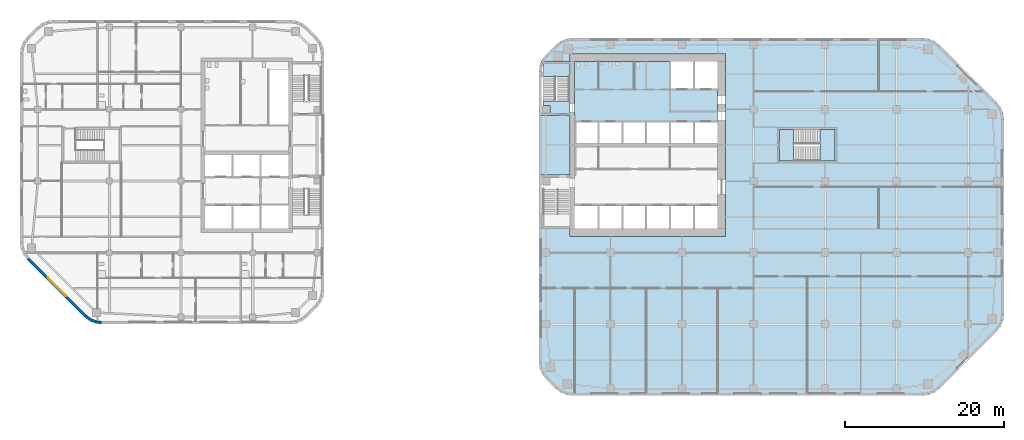
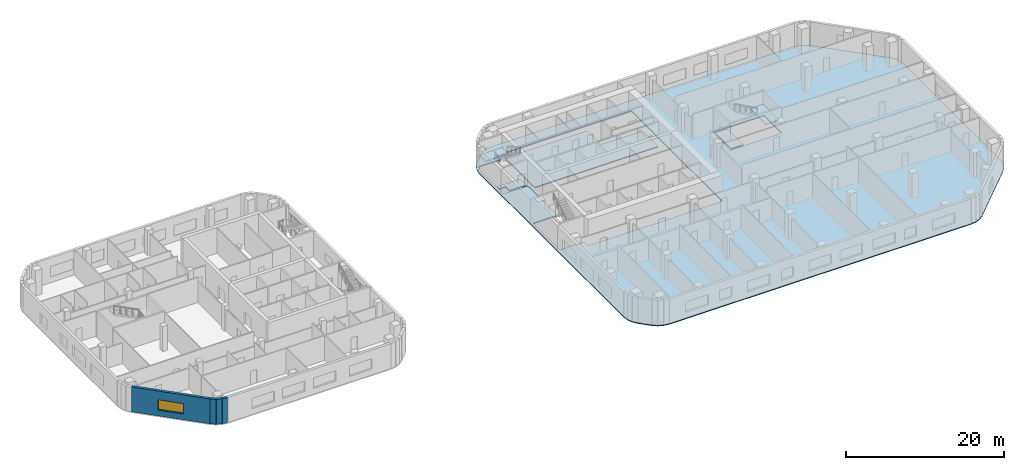
# One storey, part 4 of 16: 6 slabs, 4 walls, 1 window, 1 opening, 2 elements without a shape of their own.
"""IFC4 building model written with IfcOpenShell, lengths in metres."""

from ifc_helpers import new_model, si_unit, direction, frame, frame_2d, origin, place, context, subcontext, project, spatial, polyline, rectangle, outline, extrude, material, layer, layer_set, type_object, element, fill, aggregate, save


model = new_model("IFC4")

# Units and contexts
model_context = context("Model", 3, precision=1e-05, world=origin(), true_north=direction((0.0, 1.0)))
body_context = subcontext(model_context, "Body", "Model", "MODEL_VIEW")
ifc_project = project(units=[si_unit("LENGTHUNIT", "METRE"), si_unit("AREAUNIT", "SQUARE_METRE"), si_unit("VOLUMEUNIT", "CUBIC_METRE"), si_unit("PLANEANGLEUNIT", "RADIAN"), si_unit("MASSUNIT", "GRAM", prefix="KILO")], contexts=[model_context])

# Site, building, storey
site_placement = place(None, origin())
site = spatial("IfcSite", under=ifc_project, at=site_placement, CompositionType="ELEMENT")
building_placement = place(site_placement, origin())
building = spatial("IfcBuilding", under=site, at=building_placement, Name="Cinnabar Reach Civic Tower", CompositionType="ELEMENT")
storey_placement = place(building_placement, frame((0.0, 0.0, 83.0)))
storey = spatial("IfcBuildingStorey", under=building, at=storey_placement, Name="L19", CompositionType="ELEMENT", Elevation=83.0)

# Slab
ifc_material_1 = material(Name="Concrete C40", Category="concrete")
ifc_layer_1 = layer(ifc_material_1, 0.15)
ifc_layer_set_1 = layer_set([ifc_layer_1], Name="Composite floor slab 150 REI 150")
slab_type_1 = type_object("IfcSlabType", Name="Composite floor slab 150 REI 150", PredefinedType="FLOOR", material=ifc_layer_set_1)
slab_1_placement = place(storey_placement, frame((0.0, 0.0, -0.15)))
element("IfcSlab", 1, at=slab_1_placement, inside=storey, type_object=slab_type_1, Name="Composite floor slab 150 T1 L19", PredefinedType="FLOOR", context=body_context, shape_type="SweptSolid", body=[
    extrude(outline(polyline([(0.8787, 2.1213), (0.4019, 2.7426), (0.1022, 3.4662), (0.0, 4.2426), (0.0, 40.7574), (0.1022, 41.5338), (0.4019, 42.2574), (0.8787, 42.8787), (2.1213, 44.1213), (2.7426, 44.5981), (3.4662, 44.8978), (4.2426, 45.0), (48.2574, 45.0), (49.0338, 44.8978), (49.7574, 44.5981), (50.3787, 44.1213), (57.6213, 36.8787), (58.0981, 36.2574), (58.3978, 35.5338), (58.5, 34.7574), (58.5, 10.2426), (58.3978, 9.4662), (58.0981, 8.7426), (57.6213, 8.1213), (50.3787, 0.8787), (49.7574, 0.4019), (49.0338, 0.1022), (48.2574, 0.0), (4.2426, 0.0), (3.4662, 0.1022), (2.7426, 0.4019), (2.1213, 0.8787), (0.8787, 2.1213)]), holes=[polyline([(0.36, 21.0), (3.9, 21.0), (3.9, 20.0), (23.5, 20.0), (23.5, 43.0), (3.9, 43.0), (3.9, 42.0), (0.685, 42.0), (0.453, 41.4398), (0.36, 40.7338), (0.36, 35.25), (3.9, 35.25), (3.9, 27.75), (0.36, 27.75), (0.36, 21.0)]), polyline([(30.0, 33.75), (30.0, 29.25), (37.5, 29.25), (37.5, 33.75), (30.0, 33.75)])]), origin(), (0.0, 0.0, 1.0), 0.15),
])

# Stair, slabs
ifc_material_2 = material(Name="Concrete C40/50", Category="concrete")
stair_type = type_object("IfcStairType", Name="T1 Exit stair, half-turn", PredefinedType="HALF_TURN_STAIR", material=ifc_material_2)
stair_1_placement = place(storey_placement, origin())
stair_1 = element("IfcStair", 2, at=stair_1_placement, inside=storey, type_object=stair_type, Name="Stair T1-S2", PredefinedType="HALF_TURN_STAIR")
ifc_layer_2 = layer(ifc_material_2, 0.2)
ifc_layer_set_2 = layer_set([ifc_layer_2], Name="T1 Stair landing 200, Concrete C40/50")
slab_type_2 = type_object("IfcSlabType", Name="T1 Stair landing 200, Concrete C40/50", PredefinedType="LANDING", material=ifc_layer_set_2)
slab_2_placement = place(storey_placement, frame((0.0, 0.0, -0.2)))
slab_2 = element("IfcSlab", 3, at=slab_2_placement, type_object=slab_type_2, Name="T1-S2 landing 1", PredefinedType="LANDING", context=body_context, shape_type="SweptSolid", body=[
    extrude(outline(polyline([(0.5, 37.05), (3.9, 37.05), (3.9, 35.5), (1.4, 35.5), (1.4, 36.5), (0.5, 36.5), (0.5, 37.05)])), origin(), (0.0, 0.0, 1.0), 0.2),
])
slab_3_placement = place(storey_placement, frame((0.0, 0.0, 1.8)))
slab_3 = element("IfcSlab", 4, at=slab_3_placement, type_object=slab_type_2, Name="T1-S2 landing 2", PredefinedType="LANDING", context=body_context, shape_type="SweptSolid", body=[
    extrude(outline(polyline([(0.6, 40.13), (0.6, 41.75), (3.9, 41.75), (3.9, 40.13), (0.6, 40.13)])), origin(), (0.0, 0.0, 1.0), 0.2),
])
aggregate(stair_1, [slab_2, slab_3])

stair_2_placement = place(storey_placement, origin())
stair_2 = element("IfcStair", 5, at=stair_2_placement, inside=storey, type_object=stair_type, Name="Stair T1-S3", PredefinedType="HALF_TURN_STAIR")
slab_4_placement = place(storey_placement, frame((0.0, 0.0, -0.2)))
slab_4 = element("IfcSlab", 6, at=slab_4_placement, type_object=slab_type_2, Name="T1-S3 landing 1", PredefinedType="LANDING", context=body_context, shape_type="SweptSolid", body=[
    extrude(outline(polyline([(30.25, 29.5), (32.05, 29.5), (32.05, 33.5), (30.25, 33.5), (30.25, 29.5)])), origin(), (0.0, 0.0, 1.0), 0.2),
])
slab_5_placement = place(storey_placement, frame((0.0, 0.0, 1.8)))
slab_5 = element("IfcSlab", 7, at=slab_5_placement, type_object=slab_type_2, Name="T1-S3 landing 2", PredefinedType="LANDING", context=body_context, shape_type="SweptSolid", body=[
    extrude(outline(polyline([(35.35, 29.5), (37.25, 29.5), (37.25, 33.5), (35.35, 33.5), (35.35, 29.5)])), origin(), (0.0, 0.0, 1.0), 0.2),
])
aggregate(stair_2, [slab_4, slab_5])

# Slab
ifc_layer_3 = layer(ifc_material_2, 0.15)
ifc_layer_set_3 = layer_set([ifc_layer_3], Name="T1 core floor slab 150")
slab_type_3 = type_object("IfcSlabType", Name="T1 core floor slab 150", PredefinedType="FLOOR", material=ifc_layer_set_3)
slab_6_placement = place(storey_placement, frame((0.0, 0.0, -0.15)))
element("IfcSlab", 8, at=slab_6_placement, inside=storey, type_object=slab_type_3, Name="Core floor slab L19", PredefinedType="FLOOR", context=body_context, shape_type="SweptSolid", body=[
    extrude(outline(polyline([(22.5, 34.5), (19.5, 34.5), (16.5, 34.5), (13.5, 34.5), (10.5, 34.5), (7.5, 34.5), (4.5, 34.5), (4.5, 42.0), (16.5, 42.0), (16.5, 38.5), (19.5, 38.5), (22.5, 38.5), (22.5, 34.5)])), origin(), (0.0, 0.0, 1.0), 0.15),
])

# Walls
ifc_material_3 = material(Name="Facing brick with insulated backing", Category="masonry")
ifc_layer_4 = layer(ifc_material_3, 0.36)
ifc_layer_set_4 = layer_set([ifc_layer_4], Name="Brick corner wall")
wall_type_1 = type_object("IfcWallType", Name="Brick corner wall", PredefinedType="STANDARD", material=ifc_layer_set_4)
wall_1_placement = place(storey_placement, frame((-56.9913, 10.0002, 0.0), z_axis=(0.0, 0.0, 1.0), x_axis=(0.793321924995, -0.608802368033, 0.0)))
element("IfcWall", 9, at=wall_1_placement, inside=storey, type_object=wall_type_1, Name="Brick corner wall", PredefinedType="STANDARD", context=body_context, shape_type="SweptSolid", body=[
    extrude(rectangle(XDim=0.7132, YDim=0.36, at=frame_2d((0.3566, 0.0))), origin(), (0.0, 0.0, 1.0), 3.85),
])
for number, where, z_axis, x_axis, name in (
    (10, (-56.4061, 9.5548, 0.0), (0.0, 0.0, 1.0), (0.923871547278, -0.382702709855, 0.0), "Brick corner wall"),
    (11, (-55.7256, 9.2761, 0.0), (0.0, 0.0, 1.0), (0.99144092581, -0.13055608231, 0.0), "Brick corner wall"),
):
    element("IfcWall", number, at=place(storey_placement, frame(where, z_axis=z_axis, x_axis=x_axis)), inside=storey, type_object=wall_type_1, Name=name, PredefinedType="STANDARD", context=body_context, shape_type="SweptSolid", body=[
        extrude(rectangle(XDim=0.7131, YDim=0.36, at=frame_2d((0.3565, 0.0))), origin(), (0.0, 0.0, 1.0), 3.85),
    ])

# Wall, opening, window
ifc_layer_5 = layer(ifc_material_3, 0.36)
ifc_layer_set_5 = layer_set([ifc_layer_5], Name="Brick pier and spandrel wall")
wall_type_2 = type_object("IfcWallType", Name="Brick pier and spandrel wall", PredefinedType="STANDARD", material=ifc_layer_set_5)
wall_2_placement = place(storey_placement, frame((-64.244, 17.2486, 0.0), z_axis=(0.0, 0.0, 1.0), x_axis=(0.707106781187, -0.707106781187, 0.0)))
wall_2 = element("IfcWall", 12, at=wall_2_placement, inside=storey, type_object=wall_type_2, Name="Brick facade wall", PredefinedType="STANDARD", context=body_context, shape_type="SweptSolid", body=[
    extrude(rectangle(XDim=10.2426, YDim=0.36, at=frame_2d((5.1213, 0.0))), origin(), (0.0, 0.0, 1.0), 3.85),
])
opening_placement = place(wall_2_placement, frame((3.4713, 0.0, 0.9)))
opening = element("IfcOpeningElement", 13, at=opening_placement, cuts=wall_2, Name="Opening W2619", PredefinedType="OPENING", context=body_context, shape_type="SweptSolid", body=[
    extrude(rectangle(XDim=3.3, YDim=1.6, at=frame_2d((1.65, 0.8))), frame((0.0, 0.19, 0.0), z_axis=(0.0, -1.0, 0.0), x_axis=(1.0, 0.0, 0.0)), (0.0, 0.0, 1.0), 0.38),
])
ifc_material_4 = material(Name="Clear double glazing in aluminium frame", Category="aluminium")
window_type = type_object("IfcWindowType", Name="Deep-set window A", PartitioningType="SINGLE_PANEL", PredefinedType="WINDOW", material=ifc_material_4)
window_placement = place(opening_placement, origin())
window = element("IfcWindow", 14, at=window_placement, inside=storey, type_object=window_type, Name="Window southwest face", OverallHeight=1.6, OverallWidth=3.3, PartitioningType="SINGLE_PANEL", PredefinedType="WINDOW", context=body_context, shape_type="SweptSolid", body=[
    extrude(rectangle(XDim=3.3, YDim=1.6, at=frame_2d((1.65, 0.8))), frame((0.0, 0.13, 0.0), z_axis=(0.0, -1.0, 0.0), x_axis=(1.0, 0.0, 0.0)), (0.0, 0.0, 1.0), 0.06),
])
fill(opening, window)

save(model, "model.ifc")
